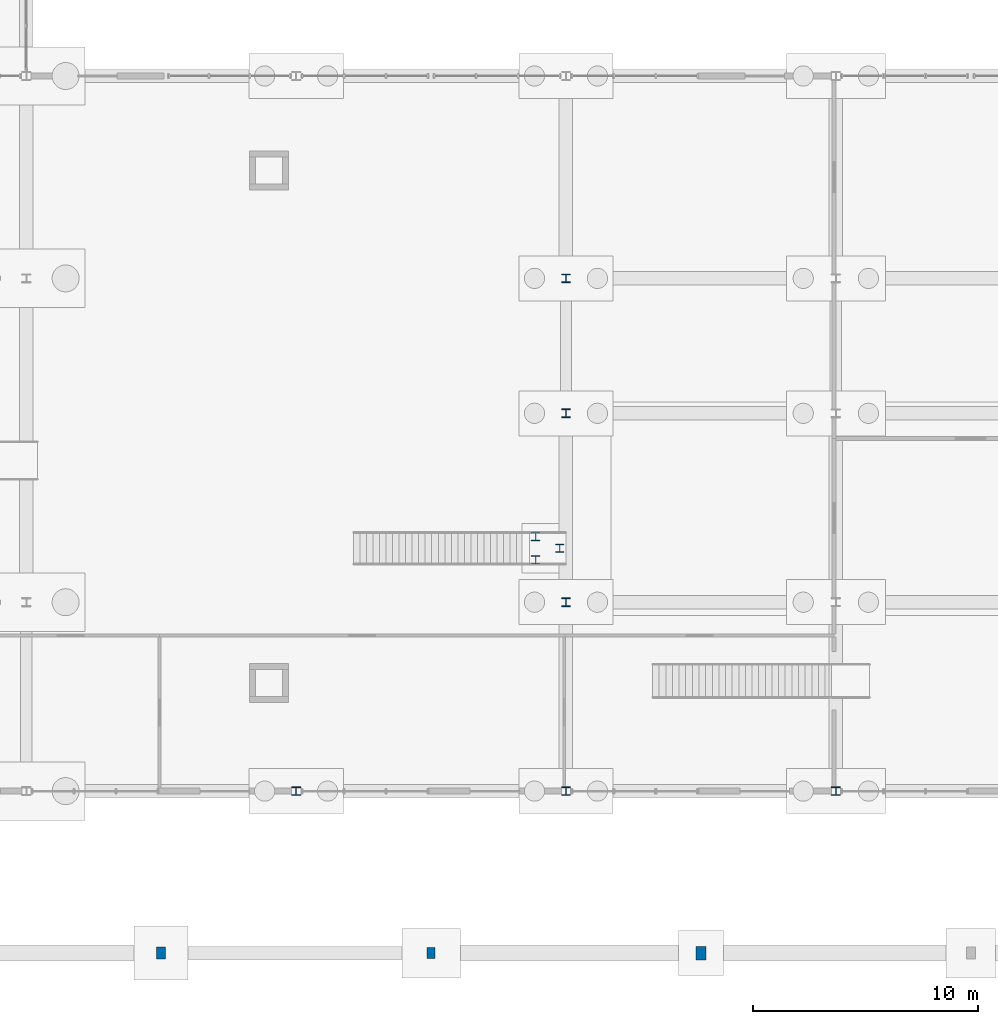
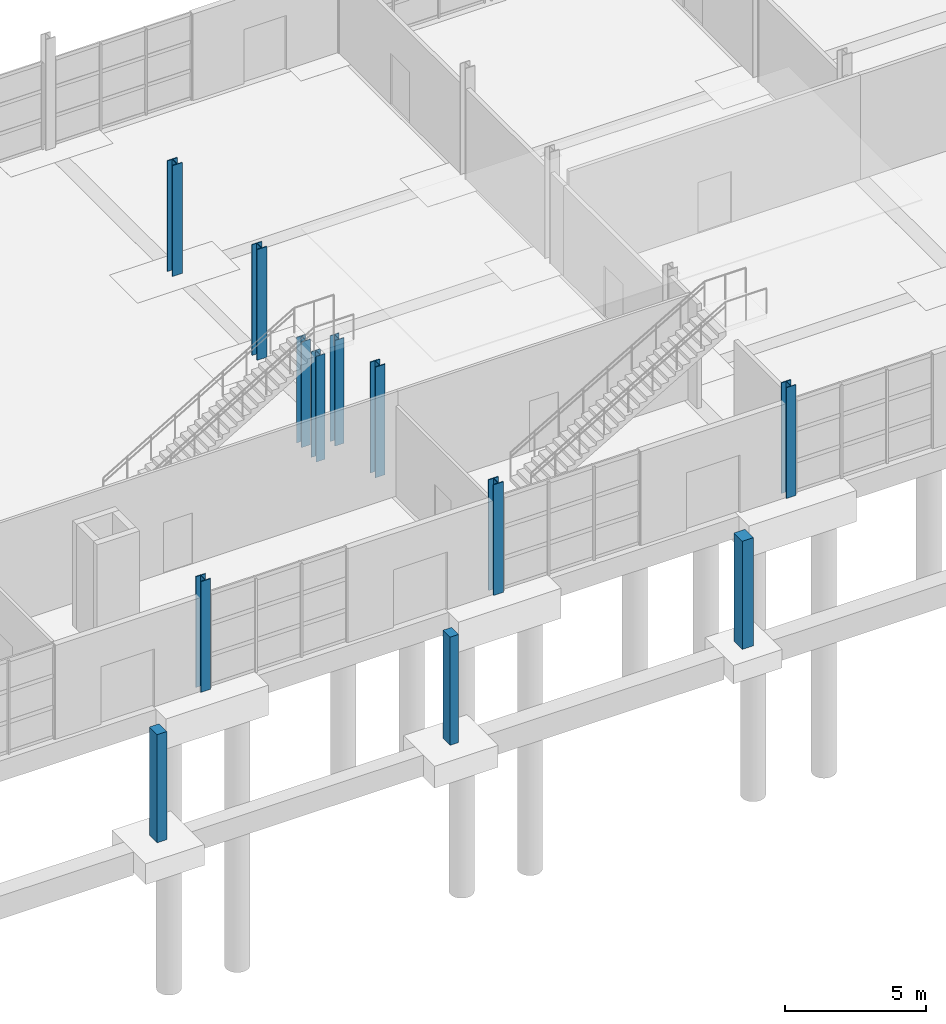
# One storey, part 10 of 82: 12 columns.
"""IFC4 building model written with IfcOpenShell, lengths in metres."""

from ifc_helpers import new_model, si_unit, direction, frame, origin, origin_2d, place, context, subcontext, project, spatial, rectangle, i_section, extrude, material, material_profile, profile_set, type_object, element, save


model = new_model("IFC4")

# Units and contexts
model_context = context("Model", 3, precision=1e-05, world=origin(), true_north=direction((0.0, 1.0)))
body_context = subcontext(model_context, "Body", "Model", "MODEL_VIEW")
ifc_project = project(units=[si_unit("LENGTHUNIT", "METRE"), si_unit("AREAUNIT", "SQUARE_METRE"), si_unit("VOLUMEUNIT", "CUBIC_METRE"), si_unit("PLANEANGLEUNIT", "RADIAN"), si_unit("MASSUNIT", "GRAM", prefix="KILO")], contexts=[model_context])

# Site, building, storey
site_placement = place(None, origin())
site = spatial("IfcSite", under=ifc_project, at=site_placement, CompositionType="ELEMENT")
building_placement = place(site_placement, origin())
building = spatial("IfcBuilding", under=site, at=building_placement, Name="Kelmvaro Bay Concert Hall", CompositionType="ELEMENT")
storey_placement = place(building_placement, origin())
storey = spatial("IfcBuildingStorey", under=building, at=storey_placement, Name="L00", CompositionType="ELEMENT", Elevation=0.0)

# Columns
ifc_material_1 = material(Name="Concrete C40/50", Category="concrete")
ifc_material_profile_1 = material_profile(ifc_material_1, rectangle(XDim=0.449951171875, YDim=0.60009765625, at=origin_2d()), Name="RC-PIL-600X450")
ifc_profile_set_1 = profile_set([ifc_material_profile_1], Name="Concrete C40/50")
column_type_1 = type_object("IfcColumnType", Name="Colonnade Pier Pilaster RC600x450", PredefinedType="PILASTER", material=ifc_profile_set_1)
column_1_placement = place(storey_placement, frame((90.0, 0.0, 0.0), z_axis=(0.0, 0.0, 1.0), x_axis=(1.0, 0.0, 0.0)))
element("IfcColumn", 1, at=column_1_placement, inside=storey, type_object=column_type_1, Name="L00 Pilaster COL-RW-90", PredefinedType="PILASTER", context=body_context, shape_type="SweptSolid", body=[
    extrude(rectangle(XDim=0.449951171875, YDim=0.60009765625, at=origin_2d()), origin(), (0.0, 0.0, 1.0), 4.68994140625),
])
ifc_material_2 = material(Name="Concrete C40/50", Category="concrete")
ifc_material_profile_2 = material_profile(ifc_material_2, rectangle(XDim=0.39990234375, YDim=0.550048828125, at=origin_2d()), Name="RC-PIL-550X400")
ifc_profile_set_2 = profile_set([ifc_material_profile_2], Name="Concrete C40/50")
column_type_2 = type_object("IfcColumnType", Name="Foyer Acoustic Pilaster RC550x400", PredefinedType="PILASTER", material=ifc_profile_set_2)
column_2_placement = place(storey_placement, frame((66.0, 0.0, 0.0), z_axis=(0.0, 0.0, 1.0), x_axis=(1.0, 0.0, 0.0)))
element("IfcColumn", 2, at=column_2_placement, inside=storey, type_object=column_type_2, Name="L00 Pilaster COL-RW-66", PredefinedType="PILASTER", context=body_context, shape_type="SweptSolid", body=[
    extrude(rectangle(XDim=0.39990234375, YDim=0.550048828125, at=origin_2d()), origin(), (0.0, 0.0, 1.0), 4.68994140625),
])
ifc_material_3 = material(Name="Steel ASTM A992 Grade 50", Category="steel")
ifc_material_profile_3 = material_profile(ifc_material_3, i_section(OverallWidth=0.39599609375, OverallDepth=0.381103515625, WebThickness=0.018798828125, FlangeThickness=0.0302734375, at=origin_2d()), Name="W14X159")
ifc_profile_set_3 = profile_set([ifc_material_profile_3], Name="Steel ASTM A992 Grade 50")
column_type_3 = type_object("IfcColumnType", Name="Foyer Concourse Column W14x159", PredefinedType="COLUMN", material=ifc_profile_set_3)
column_3_placement = place(storey_placement, frame((96.0, 7.199951171875, 0.0), z_axis=(0.0, 0.0, 1.0), x_axis=(1.0, 0.0, 0.0)))
element("IfcColumn", 3, at=column_3_placement, inside=storey, type_object=column_type_3, Name="L00 Column V5S-96-72", PredefinedType="COLUMN", context=body_context, shape_type="SweptSolid", body=[
    extrude(i_section(OverallWidth=0.39599609375, OverallDepth=0.381103515625, WebThickness=0.018798828125, FlangeThickness=0.0302734375, at=origin_2d()), origin(), (0.0, 0.0, 1.0), 4.800048828125),
])
ifc_material_4 = material(Name="Steel ASTM A992 Grade 50", Category="steel")
ifc_material_profile_4 = material_profile(ifc_material_4, i_section(OverallWidth=0.39892578125, OverallDepth=0.385986328125, WebThickness=0.02099609375, FlangeThickness=0.033203125, at=origin_2d()), Name="W14X176")
ifc_profile_set_4 = profile_set([ifc_material_profile_4], Name="Steel ASTM A992 Grade 50")
column_type_4 = type_object("IfcColumnType", Name="Foyer Heavy Column W14x176", PredefinedType="COLUMN", material=ifc_profile_set_4)
for number, where, z_axis, x_axis, name in (
    (4, (72.0, 7.199951171875, 0.0), (0.0, 0.0, 1.0), (1.0, 0.0, 0.0), "L00 Column V5S-72-72"),
    (5, (84.0, 7.199951171875, 0.0), (0.0, 0.0, 1.0), (1.0, 0.0, 0.0), "L00 Column V5S-84-72"),
    (6, (84.0, 15.60009765625, 0.0), (0.0, 0.0, 1.0), (1.0, 0.0, 0.0), "L00 Column V5S-84-156"),
    (7, (84.0, 24.0, 0.0), (0.0, 0.0, 1.0), (1.0, 0.0, 0.0), "L00 Column V5S-84-240"),
    (8, (84.0, 30.0, 0.0), (0.0, 0.0, 1.0), (1.0, 0.0, 0.0), "L00 Column V5S-84-300"),
):
    element("IfcColumn", number, at=place(storey_placement, frame(where, z_axis=z_axis, x_axis=x_axis)), inside=storey, type_object=column_type_4, Name=name, PredefinedType="COLUMN", context=body_context, shape_type="SweptSolid", body=[
        extrude(i_section(OverallWidth=0.39892578125, OverallDepth=0.385986328125, WebThickness=0.02099609375, FlangeThickness=0.033203125, at=origin_2d()), origin(), (0.0, 0.0, 1.0), 4.800048828125),
    ])
ifc_material_5 = material(Name="Steel ASTM A992 Grade 50", Category="steel")
ifc_material_profile_5 = material_profile(ifc_material_5, i_section(OverallWidth=0.367919921875, OverallDepth=0.35595703125, WebThickness=0.01123046875, FlangeThickness=0.01806640625, at=origin_2d()), Name="W14X90")
ifc_profile_set_5 = profile_set([ifc_material_profile_5], Name="Steel ASTM A992 Grade 50")
column_type_5 = type_object("IfcColumnType", Name="Gallery Column W14x90", PredefinedType="COLUMN", material=ifc_profile_set_5)
for number, where, z_axis, x_axis, name in (
    (9, (82.64990234375, 17.47998046875, 0.0), (0.0, 0.0, 1.0), (1.0, 0.0, 0.0), "L00 Feature Stair Landing Column 01"),
    (10, (82.64990234375, 18.52001953125, 0.0), (0.0, 0.0, 1.0), (1.0, 0.0, 0.0), "L00 Feature Stair Landing Column 02"),
    (11, (83.719970703125, 18.0, 0.0), (0.0, 0.0, 1.0), (1.0, 0.0, 0.0), "L00 Feature Stair Landing Column 03"),
):
    element("IfcColumn", number, at=place(storey_placement, frame(where, z_axis=z_axis, x_axis=x_axis)), inside=storey, type_object=column_type_5, Name=name, PredefinedType="COLUMN", context=body_context, shape_type="SweptSolid", body=[
        extrude(i_section(OverallWidth=0.367919921875, OverallDepth=0.35595703125, WebThickness=0.01123046875, FlangeThickness=0.01806640625, at=origin_2d()), origin(), (0.0, 0.0, 1.0), 4.580078125),
    ])
ifc_material_6 = material(Name="Concrete C40/50", Category="concrete")
ifc_material_profile_6 = material_profile(ifc_material_6, rectangle(XDim=0.35009765625, YDim=0.5, at=origin_2d()), Name="RC-PIL-500X350")
ifc_profile_set_6 = profile_set([ifc_material_profile_6], Name="Concrete C40/50")
column_type_6 = type_object("IfcColumnType", Name="Stage Wall Pilaster RC500x350", PredefinedType="PILASTER", material=ifc_profile_set_6)
column_4_placement = place(storey_placement, frame((78.0, 0.0, 0.0), z_axis=(0.0, 0.0, 1.0), x_axis=(1.0, 0.0, 0.0)))
element("IfcColumn", 12, at=column_4_placement, inside=storey, type_object=column_type_6, Name="L00 Pilaster COL-RW-78", PredefinedType="PILASTER", context=body_context, shape_type="SweptSolid", body=[
    extrude(rectangle(XDim=0.35009765625, YDim=0.5, at=origin_2d()), origin(), (0.0, 0.0, 1.0), 4.68994140625),
])

save(model, "model.ifc")
